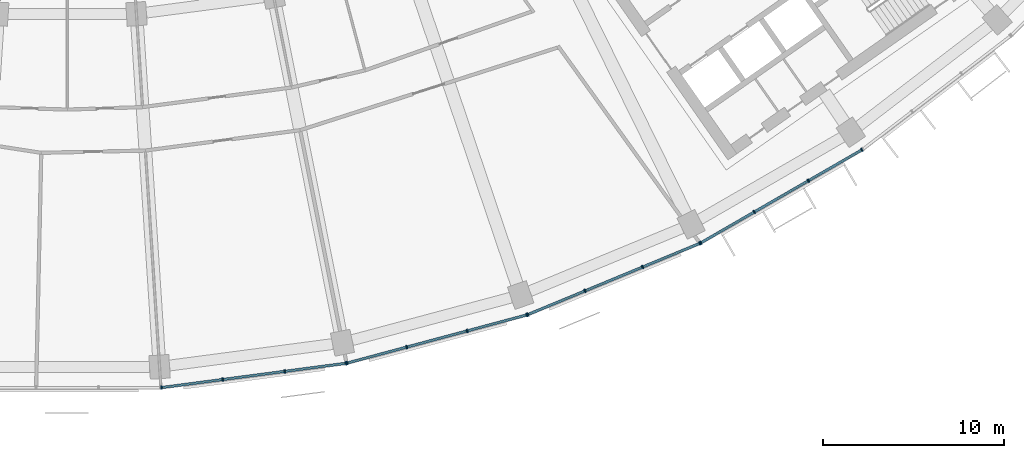
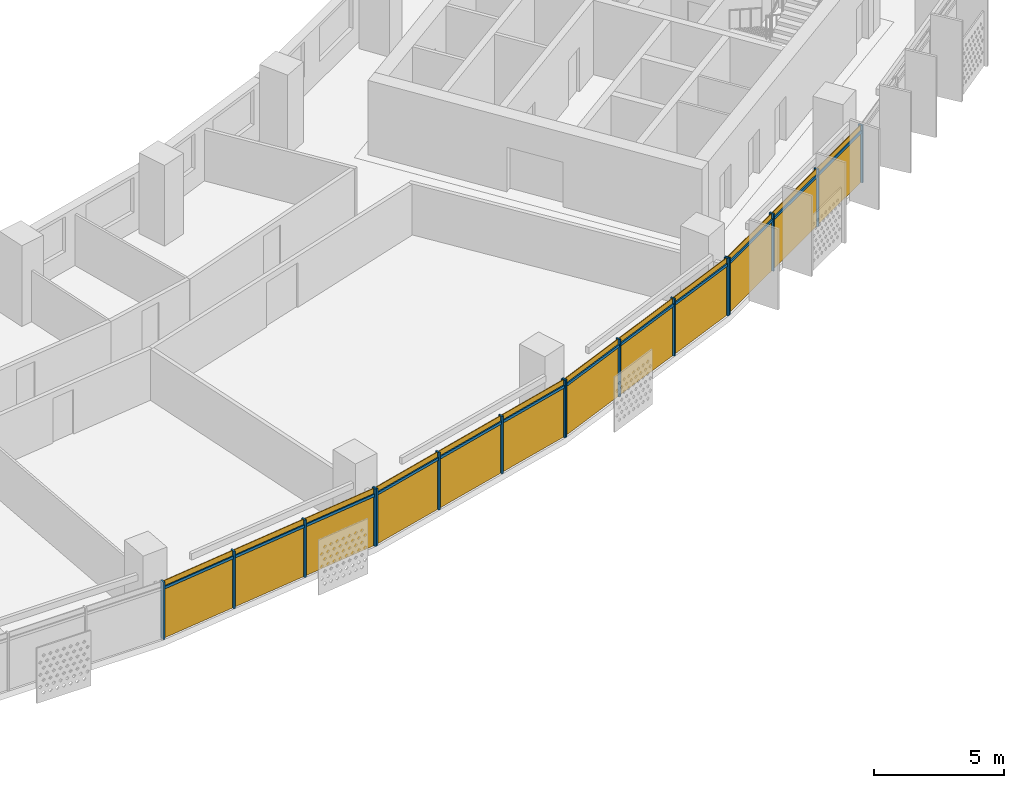
# One storey, part 19 of 26: 28 members, 4 curtain walls.
"""IFC4 building model written with IfcOpenShell, lengths in metres."""

from ifc_helpers import new_model, si_unit, direction, frame, origin, origin_2d, place, context, subcontext, project, spatial, rectangle, extrude, material, material_profile, profile_set, type_object, element, aggregate, save


model = new_model("IFC4")

# Units and contexts
model_context = context("Model", 3, precision=1e-05, world=origin(), true_north=direction((0.0, 1.0)))
body_context = subcontext(model_context, "Body", "Model", "MODEL_VIEW")
ifc_project = project(units=[si_unit("LENGTHUNIT", "METRE"), si_unit("AREAUNIT", "SQUARE_METRE"), si_unit("VOLUMEUNIT", "CUBIC_METRE"), si_unit("PLANEANGLEUNIT", "RADIAN"), si_unit("MASSUNIT", "GRAM", prefix="KILO")], contexts=[model_context])

# Member
ifc_material = material(Name="Aluminium 6063-T6 anodised", Category="aluminium")
ifc_material_profile_1 = material_profile(ifc_material, rectangle(XDim=0.199951171875, YDim=0.070068359375, at=origin_2d()))
ifc_profile_set_1 = profile_set([ifc_material_profile_1], Name="Aluminium 6063-T6 anodised")
member_type_1 = type_object("IfcMemberType", Name="Mullion 70 x 200 aluminium", PredefinedType="MULLION", material=ifc_profile_set_1)
site_placement = place(None, origin())
building_placement = place(site_placement, origin())
storey_placement = place(building_placement, frame((0.0, 0.0, 168.300048828125)))
member_1_placement = place(storey_placement, frame((5.1884765625, -78.72705078125, 0.0), z_axis=(0.0, 0.0, 1.0), x_axis=(-0.13052619222, 0.991444861374, 0.0)))
member_1 = element("IfcMember", 1, at=member_1_placement, type_object=member_type_1, Name="e-cw1-L39-out08/M00", PredefinedType="MULLION", context=body_context, shape_type="SweptSolid", body=[
    extrude(rectangle(XDim=0.199951171875, YDim=0.070068359375, at=origin_2d()), origin(), (0.0, 0.0, 1.0), 2.699951171875),
])

member_2_placement = place(storey_placement, frame((8.56884765625, -78.2822265625, 0.0), z_axis=(0.0, 0.0, 1.0), x_axis=(-0.13052619222, 0.991444861374, 0.0)))
member_2 = element("IfcMember", 2, at=member_2_placement, type_object=member_type_1, Name="e-cw1-L39-out08/M01", PredefinedType="MULLION", context=body_context, shape_type="SweptSolid", body=[
    extrude(rectangle(XDim=0.199951171875, YDim=0.070068359375, at=origin_2d()), origin(), (0.0, 0.0, 1.0), 2.699951171875),
])

member_3_placement = place(storey_placement, frame((11.98388671875, -77.83251953125, 0.0), z_axis=(0.0, 0.0, 1.0), x_axis=(-0.13052619222, 0.991444861374, 0.0)))
member_3 = element("IfcMember", 3, at=member_3_placement, type_object=member_type_1, Name="e-cw1-L39-out08/M02", PredefinedType="MULLION", context=body_context, shape_type="SweptSolid", body=[
    extrude(rectangle(XDim=0.199951171875, YDim=0.070068359375, at=origin_2d()), origin(), (0.0, 0.0, 1.0), 2.699951171875),
])

member_4_placement = place(storey_placement, frame((15.364501953125, -77.387451171875, 0.0), z_axis=(0.0, 0.0, 1.0), x_axis=(-0.13052619222, 0.991444861374, 0.0)))
member_4 = element("IfcMember", 4, at=member_4_placement, type_object=member_type_1, Name="e-cw1-L39-out08/M03", PredefinedType="MULLION", context=body_context, shape_type="SweptSolid", body=[
    extrude(rectangle(XDim=0.199951171875, YDim=0.070068359375, at=origin_2d()), origin(), (0.0, 0.0, 1.0), 2.699951171875),
])

member_5_placement = place(storey_placement, frame((15.420166015625, -77.37646484375, 0.0), z_axis=(0.0, 0.0, 1.0), x_axis=(-0.258819045103, 0.965925826289, 0.0)))
member_5 = element("IfcMember", 5, at=member_5_placement, type_object=member_type_1, Name="e-cw1-L39-out09/M00", PredefinedType="MULLION", context=body_context, shape_type="SweptSolid", body=[
    extrude(rectangle(XDim=0.199951171875, YDim=0.070068359375, at=origin_2d()), origin(), (0.0, 0.0, 1.0), 2.699951171875),
])

member_6_placement = place(storey_placement, frame((18.71337890625, -76.493896484375, 0.0), z_axis=(0.0, 0.0, 1.0), x_axis=(-0.258819045103, 0.965925826289, 0.0)))
member_6 = element("IfcMember", 6, at=member_6_placement, type_object=member_type_1, Name="e-cw1-L39-out09/M01", PredefinedType="MULLION", context=body_context, shape_type="SweptSolid", body=[
    extrude(rectangle(XDim=0.199951171875, YDim=0.070068359375, at=origin_2d()), origin(), (0.0, 0.0, 1.0), 2.699951171875),
])

member_7_placement = place(storey_placement, frame((22.04052734375, -75.602294921875, 0.0), z_axis=(0.0, 0.0, 1.0), x_axis=(-0.258819045103, 0.965925826289, 0.0)))
member_7 = element("IfcMember", 7, at=member_7_placement, type_object=member_type_1, Name="e-cw1-L39-out09/M02", PredefinedType="MULLION", context=body_context, shape_type="SweptSolid", body=[
    extrude(rectangle(XDim=0.199951171875, YDim=0.070068359375, at=origin_2d()), origin(), (0.0, 0.0, 1.0), 2.699951171875),
])

member_8_placement = place(storey_placement, frame((25.333984375, -74.719970703125, 0.0), z_axis=(0.0, 0.0, 1.0), x_axis=(-0.258819045103, 0.965925826289, 0.0)))
member_8 = element("IfcMember", 8, at=member_8_placement, type_object=member_type_1, Name="e-cw1-L39-out09/M03", PredefinedType="MULLION", context=body_context, shape_type="SweptSolid", body=[
    extrude(rectangle(XDim=0.199951171875, YDim=0.070068359375, at=origin_2d()), origin(), (0.0, 0.0, 1.0), 2.699951171875),
])

member_9_placement = place(storey_placement, frame((25.3876953125, -74.70166015625, 0.0), z_axis=(0.0, 0.0, 1.0), x_axis=(-0.382683432365, 0.923879532511, 0.0)))
member_9 = element("IfcMember", 9, at=member_9_placement, type_object=member_type_1, Name="e-cw1-L39-out10/M00", PredefinedType="MULLION", context=body_context, shape_type="SweptSolid", body=[
    extrude(rectangle(XDim=0.199951171875, YDim=0.070068359375, at=origin_2d()), origin(), (0.0, 0.0, 1.0), 2.699951171875),
])

member_10_placement = place(storey_placement, frame((28.537841796875, -73.39697265625, 0.0), z_axis=(0.0, 0.0, 1.0), x_axis=(-0.382683432365, 0.923879532511, 0.0)))
member_10 = element("IfcMember", 10, at=member_10_placement, type_object=member_type_1, Name="e-cw1-L39-out10/M01", PredefinedType="MULLION", context=body_context, shape_type="SweptSolid", body=[
    extrude(rectangle(XDim=0.199951171875, YDim=0.070068359375, at=origin_2d()), origin(), (0.0, 0.0, 1.0), 2.699951171875),
])

member_11_placement = place(storey_placement, frame((31.72021484375, -72.078857421875, 0.0), z_axis=(0.0, 0.0, 1.0), x_axis=(-0.382683432365, 0.923879532511, 0.0)))
member_11 = element("IfcMember", 11, at=member_11_placement, type_object=member_type_1, Name="e-cw1-L39-out10/M02", PredefinedType="MULLION", context=body_context, shape_type="SweptSolid", body=[
    extrude(rectangle(XDim=0.199951171875, YDim=0.070068359375, at=origin_2d()), origin(), (0.0, 0.0, 1.0), 2.699951171875),
])

member_12_placement = place(storey_placement, frame((34.8701171875, -70.77392578125, 0.0), z_axis=(0.0, 0.0, 1.0), x_axis=(-0.382683432365, 0.923879532511, 0.0)))
member_12 = element("IfcMember", 12, at=member_12_placement, type_object=member_type_1, Name="e-cw1-L39-out10/M03", PredefinedType="MULLION", context=body_context, shape_type="SweptSolid", body=[
    extrude(rectangle(XDim=0.199951171875, YDim=0.070068359375, at=origin_2d()), origin(), (0.0, 0.0, 1.0), 2.699951171875),
])

member_13_placement = place(storey_placement, frame((34.921142578125, -70.748779296875, 0.0), z_axis=(0.0, 0.0, 1.0), x_axis=(-0.5, 0.866025403784, 0.0)))
member_13 = element("IfcMember", 13, at=member_13_placement, type_object=member_type_1, Name="e-cw1-L39-out11/M00", PredefinedType="MULLION", context=body_context, shape_type="SweptSolid", body=[
    extrude(rectangle(XDim=0.199951171875, YDim=0.070068359375, at=origin_2d()), origin(), (0.0, 0.0, 1.0), 2.699951171875),
])

member_14_placement = place(storey_placement, frame((37.873779296875, -69.0439453125, 0.0), z_axis=(0.0, 0.0, 1.0), x_axis=(-0.5, 0.866025403784, 0.0)))
member_14 = element("IfcMember", 14, at=member_14_placement, type_object=member_type_1, Name="e-cw1-L39-out11/M01", PredefinedType="MULLION", context=body_context, shape_type="SweptSolid", body=[
    extrude(rectangle(XDim=0.199951171875, YDim=0.070068359375, at=origin_2d()), origin(), (0.0, 0.0, 1.0), 2.699951171875),
])

member_15_placement = place(storey_placement, frame((40.85693359375, -67.32177734375, 0.0), z_axis=(0.0, 0.0, 1.0), x_axis=(-0.5, 0.866025403784, 0.0)))
member_15 = element("IfcMember", 15, at=member_15_placement, type_object=member_type_1, Name="e-cw1-L39-out11/M02", PredefinedType="MULLION", context=body_context, shape_type="SweptSolid", body=[
    extrude(rectangle(XDim=0.199951171875, YDim=0.070068359375, at=origin_2d()), origin(), (0.0, 0.0, 1.0), 2.699951171875),
])

member_16_placement = place(storey_placement, frame((43.809814453125, -65.616943359375, 0.0), z_axis=(0.0, 0.0, 1.0), x_axis=(-0.5, 0.866025403784, 0.0)))
member_16 = element("IfcMember", 16, at=member_16_placement, type_object=member_type_1, Name="e-cw1-L39-out11/M03", PredefinedType="MULLION", context=body_context, shape_type="SweptSolid", body=[
    extrude(rectangle(XDim=0.199951171875, YDim=0.070068359375, at=origin_2d()), origin(), (0.0, 0.0, 1.0), 2.699951171875),
])

ifc_material_profile_2 = material_profile(ifc_material, rectangle(XDim=0.139892578125, YDim=0.1201171875, at=origin_2d()))
ifc_profile_set_2 = profile_set([ifc_material_profile_2], Name="Aluminium 6063-T6 anodised")
member_type_2 = type_object("IfcMemberType", Name="Transom 120 x 140 aluminium", PredefinedType="USERDEFINED", material=ifc_profile_set_2)
member_17_placement = place(storey_placement, frame((5.22314453125, -78.72265625, 2.39990234375), z_axis=(0.991439857731, 0.130564193033, 0.0), x_axis=(-0.130564193033, 0.991439857731, 0.0)))
member_17 = element("IfcMember", 17, at=member_17_placement, type_object=member_type_2, Name="e-cw1-L39-out08/T00", ObjectType="TRANSOM", PredefinedType="USERDEFINED", context=body_context, shape_type="SweptSolid", body=[
    extrude(rectangle(XDim=0.139892578125, YDim=0.1201171875, at=origin_2d()), origin(), (0.0, 0.0, 1.0), 3.339599609375),
])

member_18_placement = place(storey_placement, frame((8.603515625, -78.277587890625, 2.39990234375), z_axis=(0.991446413845, 0.130514399487, 0.0), x_axis=(-0.130514399487, 0.991446413845, 0.0)))
member_18 = element("IfcMember", 18, at=member_18_placement, type_object=member_type_2, Name="e-cw1-L39-out08/T01", ObjectType="TRANSOM", PredefinedType="USERDEFINED", context=body_context, shape_type="SweptSolid", body=[
    extrude(rectangle(XDim=0.139892578125, YDim=0.1201171875, at=origin_2d()), origin(), (0.0, 0.0, 1.0), 3.37451171875),
])

member_19_placement = place(storey_placement, frame((12.018798828125, -77.827880859375, 2.39990234375), z_axis=(0.991448073325, 0.130501792706, 0.0), x_axis=(-0.130501792706, 0.991448073325, 0.0)))
member_19 = element("IfcMember", 19, at=member_19_placement, type_object=member_type_2, Name="e-cw1-L39-out08/T02", ObjectType="TRANSOM", PredefinedType="USERDEFINED", context=body_context, shape_type="SweptSolid", body=[
    extrude(rectangle(XDim=0.139892578125, YDim=0.1201171875, at=origin_2d()), origin(), (0.0, 0.0, 1.0), 3.33935546875),
])

member_20_placement = place(storey_placement, frame((15.453857421875, -77.367431640625, 2.39990234375), z_axis=(0.96591509168, 0.258859103886, 0.0), x_axis=(-0.258859103886, 0.96591509168, 0.0)))
member_20 = element("IfcMember", 20, at=member_20_placement, type_object=member_type_2, Name="e-cw1-L39-out09/T00", ObjectType="TRANSOM", PredefinedType="USERDEFINED", context=body_context, shape_type="SweptSolid", body=[
    extrude(rectangle(XDim=0.139892578125, YDim=0.1201171875, at=origin_2d()), origin(), (0.0, 0.0, 1.0), 3.339599609375),
])

member_21_placement = place(storey_placement, frame((18.747314453125, -76.48486328125, 2.39990234375), z_axis=(0.965932873966, 0.258792741381, 0.0), x_axis=(-0.258792741381, 0.965932873966, 0.0)))
member_21 = element("IfcMember", 21, at=member_21_placement, type_object=member_type_2, Name="e-cw1-L39-out09/T01", ObjectType="TRANSOM", PredefinedType="USERDEFINED", context=body_context, shape_type="SweptSolid", body=[
    extrude(rectangle(XDim=0.139892578125, YDim=0.1201171875, at=origin_2d()), origin(), (0.0, 0.0, 1.0), 3.37451171875),
])

member_22_placement = place(storey_placement, frame((22.074462890625, -75.59326171875, 2.39990234375), z_axis=(0.965933368091, 0.258790897074, 0.0), x_axis=(-0.258790897074, 0.965933368091, 0.0)))
member_22 = element("IfcMember", 22, at=member_22_placement, type_object=member_type_2, Name="e-cw1-L39-out09/T02", ObjectType="TRANSOM", PredefinedType="USERDEFINED", context=body_context, shape_type="SweptSolid", body=[
    extrude(rectangle(XDim=0.139892578125, YDim=0.1201171875, at=origin_2d()), origin(), (0.0, 0.0, 1.0), 3.339599609375),
])

member_23_placement = place(storey_placement, frame((25.420166015625, -74.688232421875, 2.39990234375), z_axis=(0.923890305385, 0.382657423311, 0.0), x_axis=(-0.382657423311, 0.923890305385, 0.0)))
member_23 = element("IfcMember", 23, at=member_23_placement, type_object=member_type_2, Name="e-cw1-L39-out10/T00", ObjectType="TRANSOM", PredefinedType="USERDEFINED", context=body_context, shape_type="SweptSolid", body=[
    extrude(rectangle(XDim=0.139892578125, YDim=0.1201171875, at=origin_2d()), origin(), (0.0, 0.0, 1.0), 3.33935546875),
])

member_24_placement = place(storey_placement, frame((28.570068359375, -73.383544921875, 2.39990234375), z_axis=(0.923866926753, 0.382713863941, 0.0), x_axis=(-0.382713863941, 0.923866926753, 0.0)))
member_24 = element("IfcMember", 24, at=member_24_placement, type_object=member_type_2, Name="e-cw1-L39-out10/T01", ObjectType="TRANSOM", PredefinedType="USERDEFINED", context=body_context, shape_type="SweptSolid", body=[
    extrude(rectangle(XDim=0.139892578125, YDim=0.1201171875, at=origin_2d()), origin(), (0.0, 0.0, 1.0), 3.37451171875),
])

member_25_placement = place(storey_placement, frame((31.75244140625, -72.0654296875, 2.39990234375), z_axis=(0.923875164544, 0.382693977401, 0.0), x_axis=(-0.382693977401, 0.923875164544, 0.0)))
member_25 = element("IfcMember", 25, at=member_25_placement, type_object=member_type_2, Name="e-cw1-L39-out10/T02", ObjectType="TRANSOM", PredefinedType="USERDEFINED", context=body_context, shape_type="SweptSolid", body=[
    extrude(rectangle(XDim=0.139892578125, YDim=0.1201171875, at=origin_2d()), origin(), (0.0, 0.0, 1.0), 3.339599609375),
])

member_26_placement = place(storey_placement, frame((34.951416015625, -70.7314453125, 2.39990234375), z_axis=(0.866002968352, 0.500038857296, 0.0), x_axis=(-0.500038857296, 0.866002968352, 0.0)))
member_26 = element("IfcMember", 26, at=member_26_placement, type_object=member_type_2, Name="e-cw1-L39-out11/T00", ObjectType="TRANSOM", PredefinedType="USERDEFINED", context=body_context, shape_type="SweptSolid", body=[
    extrude(rectangle(XDim=0.139892578125, YDim=0.1201171875, at=origin_2d()), origin(), (0.0, 0.0, 1.0), 3.339599609375),
])

member_27_placement = place(storey_placement, frame((37.904296875, -69.026611328125, 2.39990234375), z_axis=(0.86602172966, 0.500006363716, 0.0), x_axis=(-0.500006363716, 0.86602172966, 0.0)))
member_27 = element("IfcMember", 27, at=member_27_placement, type_object=member_type_2, Name="e-cw1-L39-out11/T01", ObjectType="TRANSOM", PredefinedType="USERDEFINED", context=body_context, shape_type="SweptSolid", body=[
    extrude(rectangle(XDim=0.139892578125, YDim=0.1201171875, at=origin_2d()), origin(), (0.0, 0.0, 1.0), 3.37451171875),
])

member_28_placement = place(storey_placement, frame((40.88720703125, -67.30419921875, 2.39990234375), z_axis=(0.866052898888, 0.49995237406, 0.0), x_axis=(-0.49995237406, 0.866052898888, 0.0)))
member_28 = element("IfcMember", 28, at=member_28_placement, type_object=member_type_2, Name="e-cw1-L39-out11/T02", ObjectType="TRANSOM", PredefinedType="USERDEFINED", context=body_context, shape_type="SweptSolid", body=[
    extrude(rectangle(XDim=0.139892578125, YDim=0.1201171875, at=origin_2d()), origin(), (0.0, 0.0, 1.0), 3.339599609375),
])

# Site, building, storey
site = spatial("IfcSite", under=ifc_project, at=site_placement, CompositionType="ELEMENT")
building = spatial("IfcBuilding", under=site, at=building_placement, Name="Qamariyya Broadcast Tower", CompositionType="ELEMENT")
storey = spatial("IfcBuildingStorey", under=building, at=storey_placement, Name="L39", CompositionType="ELEMENT", Elevation=168.300048828125)

# Curtain wall
curtain_wall_type = type_object("IfcCurtainWallType", Name="Unitised curtain wall, anodised aluminium", PredefinedType="NOTDEFINED", material=ifc_material)
curtain_wall_1_placement = place(storey_placement, origin())
curtain_wall_1 = element("IfcCurtainWall", 29, at=curtain_wall_1_placement, inside=storey, type_object=curtain_wall_type, Name="e-cw1-L39-out08", PredefinedType="NOTDEFINED", context=body_context, shape_type="SweptSolid", body=[
    extrude(rectangle(XDim=3.339599609375, YDim=0.031982421875, at=origin_2d()), frame((6.878662109375, -78.504638671875, 0.0), x_axis=(0.991444240905, 0.130530905064, 0.0)), (0.0, 0.0, 1.0), 2.340087890625),
    extrude(rectangle(XDim=3.339599609375, YDim=0.031982421875, at=origin_2d()), frame((6.878662109375, -78.504638671875, 2.4599609375), x_axis=(0.991444240905, 0.130530905064, 0.0)), (0.0, 0.0, 1.0), 0.239990234375),
    extrude(rectangle(XDim=3.37451171875, YDim=0.031982421875, at=origin_2d()), frame((10.2763671875, -78.05712890625, 0.0), x_axis=(0.991444240905, 0.130530905064, 0.0)), (0.0, 0.0, 1.0), 2.340087890625),
    extrude(rectangle(XDim=3.37451171875, YDim=0.031982421875, at=origin_2d()), frame((10.2763671875, -78.05712890625, 2.4599609375), x_axis=(0.991444240905, 0.130530905064, 0.0)), (0.0, 0.0, 1.0), 0.239990234375),
    extrude(rectangle(XDim=3.339599609375, YDim=0.031982421875, at=origin_2d()), frame((13.67431640625, -77.60986328125, 0.0), x_axis=(0.991444240905, 0.130530905064, 0.0)), (0.0, 0.0, 1.0), 2.340087890625),
    extrude(rectangle(XDim=3.339599609375, YDim=0.031982421875, at=origin_2d()), frame((13.67431640625, -77.60986328125, 2.4599609375), x_axis=(0.991444240905, 0.130530905064, 0.0)), (0.0, 0.0, 1.0), 0.239990234375),
])

aggregate(curtain_wall_1, [member_1, member_2, member_3, member_4, member_17, member_18, member_19])

curtain_wall_2_placement = place(storey_placement, origin())
curtain_wall_2 = element("IfcCurtainWall", 30, at=curtain_wall_2_placement, inside=storey, type_object=curtain_wall_type, Name="e-cw1-L39-out09", PredefinedType="NOTDEFINED", context=body_context, shape_type="SweptSolid", body=[
    extrude(rectangle(XDim=3.339599609375, YDim=0.031982421875, at=origin_2d()), frame((17.066650390625, -76.935302734375, 0.0), x_axis=(0.965926433062, 0.258816780584, 0.0)), (0.0, 0.0, 1.0), 2.340087890625),
    extrude(rectangle(XDim=3.339599609375, YDim=0.031982421875, at=origin_2d()), frame((17.066650390625, -76.935302734375, 2.4599609375), x_axis=(0.965926433062, 0.258816780584, 0.0)), (0.0, 0.0, 1.0), 0.239990234375),
    extrude(rectangle(XDim=3.37451171875, YDim=0.031982421875, at=origin_2d()), frame((20.376953125, -76.04833984375, 0.0), x_axis=(0.965926433062, 0.258816780584, 0.0)), (0.0, 0.0, 1.0), 2.340087890625),
    extrude(rectangle(XDim=3.37451171875, YDim=0.031982421875, at=origin_2d()), frame((20.376953125, -76.04833984375, 2.4599609375), x_axis=(0.965926433062, 0.258816780584, 0.0)), (0.0, 0.0, 1.0), 0.239990234375),
    extrude(rectangle(XDim=3.339599609375, YDim=0.031982421875, at=origin_2d()), frame((23.6875, -75.1611328125, 0.0), x_axis=(0.965926433062, 0.258816780584, 0.0)), (0.0, 0.0, 1.0), 2.340087890625),
    extrude(rectangle(XDim=3.339599609375, YDim=0.031982421875, at=origin_2d()), frame((23.6875, -75.1611328125, 2.4599609375), x_axis=(0.965926433062, 0.258816780584, 0.0)), (0.0, 0.0, 1.0), 0.239990234375),
])

aggregate(curtain_wall_2, [member_5, member_6, member_7, member_8, member_20, member_21, member_22])

curtain_wall_3_placement = place(storey_placement, origin())
curtain_wall_3 = element("IfcCurtainWall", 31, at=curtain_wall_3_placement, inside=storey, type_object=curtain_wall_type, Name="e-cw1-L39-out10", PredefinedType="NOTDEFINED", context=body_context, shape_type="SweptSolid", body=[
    extrude(rectangle(XDim=3.339599609375, YDim=0.031982421875, at=origin_2d()), frame((26.962890625, -74.04931640625, 0.0), x_axis=(0.923878040314, 0.382687034829, 0.0)), (0.0, 0.0, 1.0), 2.340087890625),
    extrude(rectangle(XDim=3.339599609375, YDim=0.031982421875, at=origin_2d()), frame((26.962890625, -74.04931640625, 2.4599609375), x_axis=(0.923878040314, 0.382687034829, 0.0)), (0.0, 0.0, 1.0), 0.239990234375),
    extrude(rectangle(XDim=3.37451171875, YDim=0.031982421875, at=origin_2d()), frame((30.12890625, -72.73779296875, 0.0), x_axis=(0.923878040314, 0.382687034829, 0.0)), (0.0, 0.0, 1.0), 2.340087890625),
    extrude(rectangle(XDim=3.37451171875, YDim=0.031982421875, at=origin_2d()), frame((30.12890625, -72.73779296875, 2.4599609375), x_axis=(0.923878040314, 0.382687034829, 0.0)), (0.0, 0.0, 1.0), 0.239990234375),
    extrude(rectangle(XDim=3.339599609375, YDim=0.031982421875, at=origin_2d()), frame((33.295166015625, -71.42626953125, 0.0), x_axis=(0.923878040314, 0.382687034829, 0.0)), (0.0, 0.0, 1.0), 2.340087890625),
    extrude(rectangle(XDim=3.339599609375, YDim=0.031982421875, at=origin_2d()), frame((33.295166015625, -71.42626953125, 2.4599609375), x_axis=(0.923878040314, 0.382687034829, 0.0)), (0.0, 0.0, 1.0), 0.239990234375),
])

aggregate(curtain_wall_3, [member_9, member_10, member_11, member_12, member_23, member_24, member_25])

curtain_wall_4_placement = place(storey_placement, origin())
curtain_wall_4 = element("IfcCurtainWall", 32, at=curtain_wall_4_placement, inside=storey, type_object=curtain_wall_type, Name="e-cw1-L39-out11", PredefinedType="NOTDEFINED", context=body_context, shape_type="SweptSolid", body=[
    extrude(rectangle(XDim=3.339599609375, YDim=0.031982421875, at=origin_2d()), frame((36.3974609375, -69.896484375, 0.0), x_axis=(0.866028999376, 0.499993772201, 0.0)), (0.0, 0.0, 1.0), 2.340087890625),
    extrude(rectangle(XDim=3.339599609375, YDim=0.031982421875, at=origin_2d()), frame((36.3974609375, -69.896484375, 2.4599609375), x_axis=(0.866028999376, 0.499993772201, 0.0)), (0.0, 0.0, 1.0), 0.239990234375),
    extrude(rectangle(XDim=3.37451171875, YDim=0.031982421875, at=origin_2d()), frame((39.365478515625, -68.18310546875, 0.0), x_axis=(0.866028999376, 0.499993772201, 0.0)), (0.0, 0.0, 1.0), 2.340087890625),
    extrude(rectangle(XDim=3.37451171875, YDim=0.031982421875, at=origin_2d()), frame((39.365478515625, -68.18310546875, 2.4599609375), x_axis=(0.866028999376, 0.499993772201, 0.0)), (0.0, 0.0, 1.0), 0.239990234375),
    extrude(rectangle(XDim=3.339599609375, YDim=0.031982421875, at=origin_2d()), frame((42.33349609375, -66.469482421875, 0.0), x_axis=(0.866028999376, 0.499993772201, 0.0)), (0.0, 0.0, 1.0), 2.340087890625),
    extrude(rectangle(XDim=3.339599609375, YDim=0.031982421875, at=origin_2d()), frame((42.33349609375, -66.469482421875, 2.4599609375), x_axis=(0.866028999376, 0.499993772201, 0.0)), (0.0, 0.0, 1.0), 0.239990234375),
])

aggregate(curtain_wall_4, [member_13, member_14, member_15, member_16, member_26, member_27, member_28])

save(model, "model.ifc")
